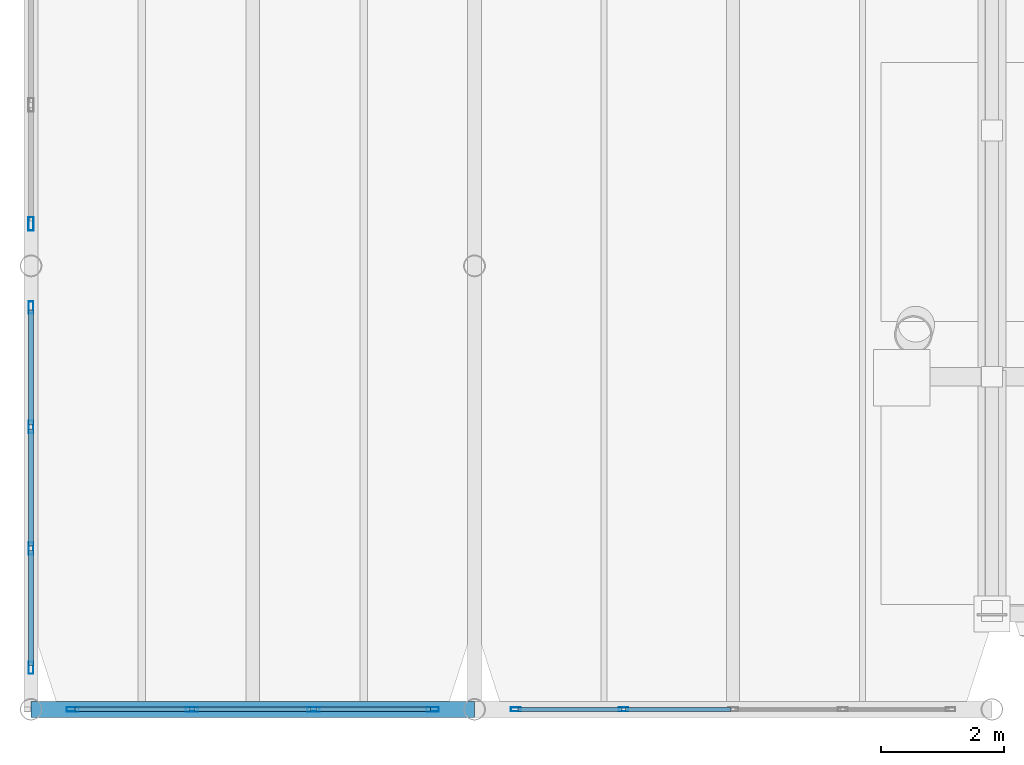
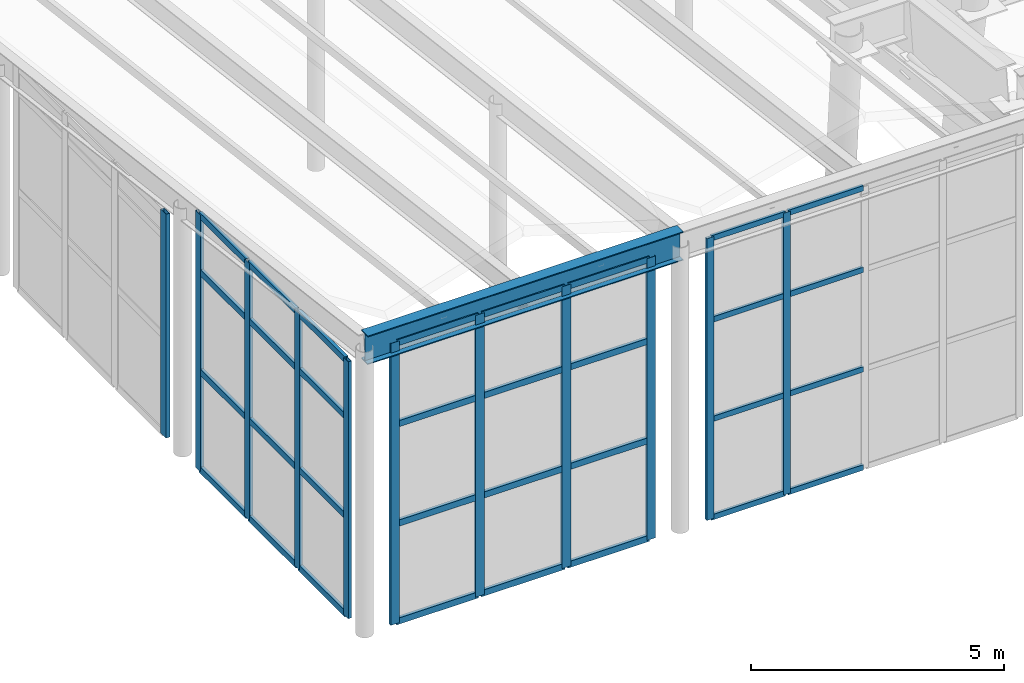
# One storey, part 3 of 14: 43 members, 1 beam, 4 elements without a shape of their own.
"""IFC4 building model written with IfcOpenShell, lengths in metres."""

from ifc_helpers import new_model, si_unit, direction, frame, origin, origin_2d, place, context, subcontext, project, spatial, hollow_rectangle, i_section, extrude, material, layer, layer_set, material_profile, profile_set, type_object, element, aggregate, save


model = new_model("IFC4")

# Units and contexts
model_context = context("Model", 3, precision=1e-05, world=origin(), true_north=direction((0.0, 1.0)))
body_context = subcontext(model_context, "Body", "Model", "MODEL_VIEW")
ifc_project = project(units=[si_unit("LENGTHUNIT", "METRE"), si_unit("AREAUNIT", "SQUARE_METRE"), si_unit("VOLUMEUNIT", "CUBIC_METRE"), si_unit("PLANEANGLEUNIT", "RADIAN"), si_unit("MASSUNIT", "GRAM", prefix="KILO")], contexts=[model_context])

# Site, building, storey
site_placement = place(None, origin())
site = spatial("IfcSite", under=ifc_project, at=site_placement, CompositionType="ELEMENT")
building_placement = place(site_placement, origin())
building = spatial("IfcBuilding", under=site, at=building_placement, Name="Xicomal Pleat Aquarium", CompositionType="ELEMENT")
storey_placement = place(building_placement, frame((0.0, 0.0, 24.0)))
storey = spatial("IfcBuildingStorey", under=building, at=storey_placement, Name="RF", CompositionType="ELEMENT", Elevation=24.0)

# Beam
ifc_material_1 = material(Name="Structural steel A992 Gr 50", Category="steel")
ifc_material_profile_1 = material_profile(ifc_material_1, i_section(OverallWidth=0.256103515625, OverallDepth=0.693115234375, WebThickness=0.014404296875, FlangeThickness=0.023681640625, at=origin_2d()), Name="IR 690x170")
ifc_profile_set_1 = profile_set([ifc_material_profile_1], Name="Structural steel A992 Gr 50")
beam_type = type_object("IfcBeamType", Name="BM-STL-IR690", PredefinedType="BEAM", material=ifc_profile_set_1)
beam_placement = place(storey_placement, frame((3.0, 0.800048828125, 6.89111328125), z_axis=(1.0, 0.0, 0.0), x_axis=(0.0, 1.0, 0.0)))
element("IfcBeam", 1, at=beam_placement, inside=storey, type_object=beam_type, Name="RF T1 ring girder S 01-02", PredefinedType="BEAM", context=body_context, shape_type="SweptSolid", body=[
    extrude(i_section(OverallWidth=0.256103515625, OverallDepth=0.693115234375, WebThickness=0.014404296875, FlangeThickness=0.023681640625, at=origin_2d()), origin(), (0.0, 0.0, 1.0), 7.199951171875),
])

# Curtain wall, members
ifc_material_2 = material(Name="Bronze anodized aluminium 6063-T6", Category="aluminium")
ifc_layer_1 = layer(ifc_material_2, 0.159912109375)
ifc_layer_set_1 = layer_set([ifc_layer_1], Name="Bronze anodized aluminium 6063-T6")
curtain_wall_type_1 = type_object("IfcCurtainWallType", Name="CW-SYS-03", PredefinedType="NOTDEFINED", material=ifc_layer_set_1)
curtain_wall_1_placement = place(storey_placement, origin())
curtain_wall_1 = element("IfcCurtainWall", 2, at=curtain_wall_1_placement, inside=storey, type_object=curtain_wall_type_1, Name="RF pleated crown clerestory curtain wall CW-RF-03", PredefinedType="NOTDEFINED")
ifc_material_3 = material(Name="Bronze anodized aluminium 6063-T6", Category="aluminium")
ifc_material_profile_2 = material_profile(ifc_material_3, hollow_rectangle(XDim=0.06494140625, YDim=0.159912109375, WallThickness=0.00390625, at=origin_2d()), Name="ALU MULL 65x160")
ifc_profile_set_2 = profile_set([ifc_material_profile_2], Name="Bronze anodized aluminium 6063-T6")
member_type_1 = type_object("IfcMemberType", Name="CWM-65x160", PredefinedType="MULLION", material=ifc_profile_set_2)
member_1_placement = place(storey_placement, frame((10.87255859375, 0.800048828125, 0.0), z_axis=(0.0, 0.0, 1.0), x_axis=(0.0, 1.0, 0.0)))
member_1 = element("IfcMember", 3, at=member_1_placement, type_object=member_type_1, Name="CW-03 mullion 1", PredefinedType="MULLION", context=body_context, shape_type="SweptSolid", body=[
    extrude(hollow_rectangle(XDim=0.06494140625, YDim=0.159912109375, WallThickness=0.00390625, at=origin_2d()), origin(), (0.0, 0.0, 1.0), 6.800048828125),
])
member_2_placement = place(storey_placement, frame((12.6201171875, 0.800048828125, 0.0), z_axis=(0.0, 0.0, 1.0), x_axis=(0.0, 1.0, 0.0)))
member_2 = element("IfcMember", 4, at=member_2_placement, type_object=member_type_1, Name="CW-03 mullion 2", PredefinedType="MULLION", context=body_context, shape_type="SweptSolid", body=[
    extrude(hollow_rectangle(XDim=0.06494140625, YDim=0.159912109375, WallThickness=0.00390625, at=origin_2d()), origin(), (0.0, 0.0, 1.0), 6.800048828125),
])

ifc_material_4 = material(Name="Bronze anodized aluminium 6063-T6", Category="aluminium")
ifc_layer_2 = layer(ifc_material_4, 0.159912109375)
ifc_layer_set_2 = layer_set([ifc_layer_2], Name="Bronze anodized aluminium 6063-T6")
curtain_wall_type_2 = type_object("IfcCurtainWallType", Name="CW-SYS-04", PredefinedType="NOTDEFINED", material=ifc_layer_set_2)
curtain_wall_2_placement = place(storey_placement, origin())
curtain_wall_2 = element("IfcCurtainWall", 5, at=curtain_wall_2_placement, inside=storey, type_object=curtain_wall_type_2, Name="RF pleated crown clerestory curtain wall CW-RF-01", PredefinedType="NOTDEFINED")
ifc_material_5 = material(Name="Bronze anodized aluminium 6063-T6", Category="aluminium")
ifc_material_profile_3 = material_profile(ifc_material_5, hollow_rectangle(XDim=0.074951171875, YDim=0.199951171875, WallThickness=0.00439453125, at=origin_2d()), Name="ALU MULL 75x200")
ifc_profile_set_3 = profile_set([ifc_material_profile_3], Name="Bronze anodized aluminium 6063-T6")
member_type_2 = type_object("IfcMemberType", Name="CWM-75x200", PredefinedType="MULLION", material=ifc_profile_set_3)
member_3_placement = place(storey_placement, frame((3.0, 1.4775390625, 0.0), z_axis=(0.0, 0.0, 1.0), x_axis=(-1.0, 0.0, 0.0)))
member_3 = element("IfcMember", 6, at=member_3_placement, type_object=member_type_2, Name="CW-04 mullion 1", PredefinedType="MULLION", context=body_context, shape_type="SweptSolid", body=[
    extrude(hollow_rectangle(XDim=0.074951171875, YDim=0.199951171875, WallThickness=0.00439453125, at=origin_2d()), origin(), (0.0, 0.0, 1.0), 6.199951171875),
])
member_4_placement = place(storey_placement, frame((3.0, 3.413330078125, 0.0), z_axis=(0.0, 0.0, 1.0), x_axis=(-1.0, 0.0, 0.0)))
member_4 = element("IfcMember", 7, at=member_4_placement, type_object=member_type_2, Name="CW-04 mullion 2", PredefinedType="MULLION", context=body_context, shape_type="SweptSolid", body=[
    extrude(hollow_rectangle(XDim=0.074951171875, YDim=0.199951171875, WallThickness=0.00439453125, at=origin_2d()), origin(), (0.0, 0.0, 1.0), 6.199951171875),
])
member_5_placement = place(storey_placement, frame((3.0, 5.38671875, 0.0), z_axis=(0.0, 0.0, 1.0), x_axis=(-1.0, 0.0, 0.0)))
member_5 = element("IfcMember", 8, at=member_5_placement, type_object=member_type_2, Name="CW-04 mullion 3", PredefinedType="MULLION", context=body_context, shape_type="SweptSolid", body=[
    extrude(hollow_rectangle(XDim=0.074951171875, YDim=0.199951171875, WallThickness=0.00439453125, at=origin_2d()), origin(), (0.0, 0.0, 1.0), 6.199951171875),
])
member_6_placement = place(storey_placement, frame((3.0, 7.322509765625, 0.0), z_axis=(0.0, 0.0, 1.0), x_axis=(-1.0, 0.0, 0.0)))
member_6 = element("IfcMember", 9, at=member_6_placement, type_object=member_type_2, Name="CW-04 mullion 4", PredefinedType="MULLION", context=body_context, shape_type="SweptSolid", body=[
    extrude(hollow_rectangle(XDim=0.074951171875, YDim=0.199951171875, WallThickness=0.00439453125, at=origin_2d()), origin(), (0.0, 0.0, 1.0), 6.199951171875),
])

curtain_wall_3_placement = place(storey_placement, origin())
curtain_wall_3 = element("IfcCurtainWall", 10, at=curtain_wall_3_placement, inside=storey, type_object=curtain_wall_type_2, Name="RF pleated crown clerestory curtain wall CW-RF-04", PredefinedType="NOTDEFINED")
member_7_placement = place(storey_placement, frame((3.677490234375, 0.800048828125, 0.0), z_axis=(0.0, 0.0, 1.0), x_axis=(0.0, 1.0, 0.0)))
member_7 = element("IfcMember", 11, at=member_7_placement, type_object=member_type_2, Name="CW-04 mullion 1", PredefinedType="MULLION", context=body_context, shape_type="SweptSolid", body=[
    extrude(hollow_rectangle(XDim=0.074951171875, YDim=0.199951171875, WallThickness=0.00439453125, at=origin_2d()), origin(), (0.0, 0.0, 1.0), 6.800048828125),
])
member_8_placement = place(storey_placement, frame((5.61328125, 0.800048828125, 0.0), z_axis=(0.0, 0.0, 1.0), x_axis=(0.0, 1.0, 0.0)))
member_8 = element("IfcMember", 12, at=member_8_placement, type_object=member_type_2, Name="CW-04 mullion 2", PredefinedType="MULLION", context=body_context, shape_type="SweptSolid", body=[
    extrude(hollow_rectangle(XDim=0.074951171875, YDim=0.199951171875, WallThickness=0.00439453125, at=origin_2d()), origin(), (0.0, 0.0, 1.0), 6.800048828125),
])
member_9_placement = place(storey_placement, frame((7.586669921875, 0.800048828125, 0.0), z_axis=(0.0, 0.0, 1.0), x_axis=(0.0, 1.0, 0.0)))
member_9 = element("IfcMember", 13, at=member_9_placement, type_object=member_type_2, Name="CW-04 mullion 3", PredefinedType="MULLION", context=body_context, shape_type="SweptSolid", body=[
    extrude(hollow_rectangle(XDim=0.074951171875, YDim=0.199951171875, WallThickness=0.00439453125, at=origin_2d()), origin(), (0.0, 0.0, 1.0), 6.800048828125),
])
member_10_placement = place(storey_placement, frame((9.5224609375, 0.800048828125, 0.0), z_axis=(0.0, 0.0, 1.0), x_axis=(0.0, 1.0, 0.0)))
member_10 = element("IfcMember", 14, at=member_10_placement, type_object=member_type_2, Name="CW-04 mullion 4", PredefinedType="MULLION", context=body_context, shape_type="SweptSolid", body=[
    extrude(hollow_rectangle(XDim=0.074951171875, YDim=0.199951171875, WallThickness=0.00439453125, at=origin_2d()), origin(), (0.0, 0.0, 1.0), 6.800048828125),
])

# Curtain wall, member
ifc_material_6 = material(Name="Bronze anodized aluminium 6063-T6", Category="aluminium")
ifc_layer_3 = layer(ifc_material_6, 0.159912109375)
ifc_layer_set_3 = layer_set([ifc_layer_3], Name="Bronze anodized aluminium 6063-T6")
curtain_wall_type_3 = type_object("IfcCurtainWallType", Name="CW-SYS-05", PredefinedType="NOTDEFINED", material=ifc_layer_set_3)
curtain_wall_4_placement = place(storey_placement, origin())
curtain_wall_4 = element("IfcCurtainWall", 15, at=curtain_wall_4_placement, inside=storey, type_object=curtain_wall_type_3, Name="RF pleated crown clerestory curtain wall CW-RF-02", PredefinedType="NOTDEFINED")
ifc_material_7 = material(Name="Bronze anodized aluminium 6063-T6", Category="aluminium")
ifc_material_profile_4 = material_profile(ifc_material_7, hollow_rectangle(XDim=0.0849609375, YDim=0.219970703125, WallThickness=0.0048828125, at=origin_2d()), Name="ALU MULL 85x220")
ifc_profile_set_4 = profile_set([ifc_material_profile_4], Name="Bronze anodized aluminium 6063-T6")
member_type_3 = type_object("IfcMemberType", Name="CWM-85x220", PredefinedType="MULLION", material=ifc_profile_set_4)
member_11_placement = place(storey_placement, frame((3.0, 8.6826171875, 0.0), z_axis=(0.0, 0.0, 1.0), x_axis=(-1.0, 0.0, 0.0)))
member_11 = element("IfcMember", 16, at=member_11_placement, type_object=member_type_3, Name="CW-05 mullion 1", PredefinedType="MULLION", context=body_context, shape_type="SweptSolid", body=[
    extrude(hollow_rectangle(XDim=0.0849609375, YDim=0.219970703125, WallThickness=0.0048828125, at=origin_2d()), origin(), (0.0, 0.0, 1.0), 5.39990234375),
])
aggregate(curtain_wall_4, [member_11])

# Member
ifc_material_8 = material(Name="Bronze anodized aluminium 6063-T6", Category="aluminium")
ifc_material_profile_5 = material_profile(ifc_material_8, hollow_rectangle(XDim=0.06494140625, YDim=0.1298828125, WallThickness=0.00390625, at=origin_2d()), Name="ALU TRAN 65x130")
ifc_profile_set_5 = profile_set([ifc_material_profile_5], Name="Bronze anodized aluminium 6063-T6")
member_type_4 = type_object("IfcMemberType", Name="CWT-65x130", PredefinedType="USERDEFINED", material=ifc_profile_set_5)
member_12_placement = place(storey_placement, frame((10.905029296875, 0.800048828125, 0.032470703125), z_axis=(1.0, 0.0, 0.0), x_axis=(0.0, 1.0, 0.0)))
member_12 = element("IfcMember", 17, at=member_12_placement, type_object=member_type_4, Name="CW-03 transom 1.1", ObjectType="TRANSOM", PredefinedType="USERDEFINED", context=body_context, shape_type="SweptSolid", body=[
    extrude(hollow_rectangle(XDim=0.06494140625, YDim=0.1298828125, WallThickness=0.00390625, at=origin_2d()), origin(), (0.0, 0.0, 1.0), 1.682373046875),
])

member_13_placement = place(storey_placement, frame((10.905029296875, 0.800048828125, 2.39990234375), z_axis=(1.0, 0.0, 0.0), x_axis=(0.0, 1.0, 0.0)))
member_13 = element("IfcMember", 18, at=member_13_placement, type_object=member_type_4, Name="CW-03 transom 1.2", ObjectType="TRANSOM", PredefinedType="USERDEFINED", context=body_context, shape_type="SweptSolid", body=[
    extrude(hollow_rectangle(XDim=0.06494140625, YDim=0.1298828125, WallThickness=0.00390625, at=origin_2d()), origin(), (0.0, 0.0, 1.0), 1.682373046875),
])

member_14_placement = place(storey_placement, frame((10.905029296875, 0.800048828125, 4.800048828125), z_axis=(1.0, 0.0, 0.0), x_axis=(0.0, 1.0, 0.0)))
member_14 = element("IfcMember", 19, at=member_14_placement, type_object=member_type_4, Name="CW-03 transom 1.3", ObjectType="TRANSOM", PredefinedType="USERDEFINED", context=body_context, shape_type="SweptSolid", body=[
    extrude(hollow_rectangle(XDim=0.06494140625, YDim=0.1298828125, WallThickness=0.00390625, at=origin_2d()), origin(), (0.0, 0.0, 1.0), 1.682373046875),
])

member_15_placement = place(storey_placement, frame((10.905029296875, 0.800048828125, 6.767578125), z_axis=(1.0, 0.0, 0.0), x_axis=(0.0, 1.0, 0.0)))
member_15 = element("IfcMember", 20, at=member_15_placement, type_object=member_type_4, Name="CW-03 transom 1.4", ObjectType="TRANSOM", PredefinedType="USERDEFINED", context=body_context, shape_type="SweptSolid", body=[
    extrude(hollow_rectangle(XDim=0.06494140625, YDim=0.1298828125, WallThickness=0.00390625, at=origin_2d()), origin(), (0.0, 0.0, 1.0), 1.682373046875),
])

member_16_placement = place(storey_placement, frame((12.652587890625, 0.800048828125, 0.032470703125), z_axis=(1.0, 0.0, 0.0), x_axis=(0.0, 1.0, 0.0)))
member_16 = element("IfcMember", 21, at=member_16_placement, type_object=member_type_4, Name="CW-03 transom 2.1", ObjectType="TRANSOM", PredefinedType="USERDEFINED", context=body_context, shape_type="SweptSolid", body=[
    extrude(hollow_rectangle(XDim=0.06494140625, YDim=0.1298828125, WallThickness=0.00390625, at=origin_2d()), origin(), (0.0, 0.0, 1.0), 1.71484375),
])

member_17_placement = place(storey_placement, frame((12.652587890625, 0.800048828125, 2.39990234375), z_axis=(1.0, 0.0, 0.0), x_axis=(0.0, 1.0, 0.0)))
member_17 = element("IfcMember", 22, at=member_17_placement, type_object=member_type_4, Name="CW-03 transom 2.2", ObjectType="TRANSOM", PredefinedType="USERDEFINED", context=body_context, shape_type="SweptSolid", body=[
    extrude(hollow_rectangle(XDim=0.06494140625, YDim=0.1298828125, WallThickness=0.00390625, at=origin_2d()), origin(), (0.0, 0.0, 1.0), 1.71484375),
])

member_18_placement = place(storey_placement, frame((12.652587890625, 0.800048828125, 4.800048828125), z_axis=(1.0, 0.0, 0.0), x_axis=(0.0, 1.0, 0.0)))
member_18 = element("IfcMember", 23, at=member_18_placement, type_object=member_type_4, Name="CW-03 transom 2.3", ObjectType="TRANSOM", PredefinedType="USERDEFINED", context=body_context, shape_type="SweptSolid", body=[
    extrude(hollow_rectangle(XDim=0.06494140625, YDim=0.1298828125, WallThickness=0.00390625, at=origin_2d()), origin(), (0.0, 0.0, 1.0), 1.71484375),
])

member_19_placement = place(storey_placement, frame((12.652587890625, 0.800048828125, 6.767578125), z_axis=(1.0, 0.0, 0.0), x_axis=(0.0, 1.0, 0.0)))
member_19 = element("IfcMember", 24, at=member_19_placement, type_object=member_type_4, Name="CW-03 transom 2.4", ObjectType="TRANSOM", PredefinedType="USERDEFINED", context=body_context, shape_type="SweptSolid", body=[
    extrude(hollow_rectangle(XDim=0.06494140625, YDim=0.1298828125, WallThickness=0.00390625, at=origin_2d()), origin(), (0.0, 0.0, 1.0), 1.71484375),
])

aggregate(curtain_wall_1, [member_1, member_2, member_12, member_13, member_14, member_15, member_16, member_17, member_18, member_19])

ifc_material_9 = material(Name="Bronze anodized aluminium 6063-T6", Category="aluminium")
ifc_material_profile_6 = material_profile(ifc_material_9, hollow_rectangle(XDim=0.074951171875, YDim=0.14990234375, WallThickness=0.00439453125, at=origin_2d()), Name="ALU TRAN 75x150")
ifc_profile_set_6 = profile_set([ifc_material_profile_6], Name="Bronze anodized aluminium 6063-T6")
member_type_5 = type_object("IfcMemberType", Name="CWT-75x150", PredefinedType="USERDEFINED", material=ifc_profile_set_6)
member_20_placement = place(storey_placement, frame((3.0, 1.514892578125, 0.03759765625), z_axis=(0.0, 1.0, 0.0), x_axis=(-1.0, 0.0, 0.0)))
member_20 = element("IfcMember", 25, at=member_20_placement, type_object=member_type_5, Name="CW-04 transom 1.1", ObjectType="TRANSOM", PredefinedType="USERDEFINED", context=body_context, shape_type="SweptSolid", body=[
    extrude(hollow_rectangle(XDim=0.074951171875, YDim=0.14990234375, WallThickness=0.00439453125, at=origin_2d()), origin(), (0.0, 0.0, 1.0), 1.86083984375),
])

member_21_placement = place(storey_placement, frame((3.0, 1.514892578125, 2.39990234375), z_axis=(0.0, 1.0, 0.0), x_axis=(-1.0, 0.0, 0.0)))
member_21 = element("IfcMember", 26, at=member_21_placement, type_object=member_type_5, Name="CW-04 transom 1.2", ObjectType="TRANSOM", PredefinedType="USERDEFINED", context=body_context, shape_type="SweptSolid", body=[
    extrude(hollow_rectangle(XDim=0.074951171875, YDim=0.14990234375, WallThickness=0.00439453125, at=origin_2d()), origin(), (0.0, 0.0, 1.0), 1.86083984375),
])

member_22_placement = place(storey_placement, frame((3.0, 1.514892578125, 4.800048828125), z_axis=(0.0, 1.0, 0.0), x_axis=(-1.0, 0.0, 0.0)))
member_22 = element("IfcMember", 27, at=member_22_placement, type_object=member_type_5, Name="CW-04 transom 1.3", ObjectType="TRANSOM", PredefinedType="USERDEFINED", context=body_context, shape_type="SweptSolid", body=[
    extrude(hollow_rectangle(XDim=0.074951171875, YDim=0.14990234375, WallThickness=0.00439453125, at=origin_2d()), origin(), (0.0, 0.0, 1.0), 1.86083984375),
])

member_23_placement = place(storey_placement, frame((3.0, 1.514892578125, 6.16259765625), z_axis=(0.0, 1.0, 0.0), x_axis=(-1.0, 0.0, 0.0)))
member_23 = element("IfcMember", 28, at=member_23_placement, type_object=member_type_5, Name="CW-04 transom 1.4", ObjectType="TRANSOM", PredefinedType="USERDEFINED", context=body_context, shape_type="SweptSolid", body=[
    extrude(hollow_rectangle(XDim=0.074951171875, YDim=0.14990234375, WallThickness=0.00439453125, at=origin_2d()), origin(), (0.0, 0.0, 1.0), 1.86083984375),
])

member_24_placement = place(storey_placement, frame((3.0, 3.45068359375, 0.03759765625), z_axis=(0.0, 1.0, 0.0), x_axis=(-1.0, 0.0, 0.0)))
member_24 = element("IfcMember", 29, at=member_24_placement, type_object=member_type_5, Name="CW-04 transom 2.1", ObjectType="TRANSOM", PredefinedType="USERDEFINED", context=body_context, shape_type="SweptSolid", body=[
    extrude(hollow_rectangle(XDim=0.074951171875, YDim=0.14990234375, WallThickness=0.00439453125, at=origin_2d()), origin(), (0.0, 0.0, 1.0), 1.8984375),
])

member_25_placement = place(storey_placement, frame((3.0, 3.45068359375, 2.39990234375), z_axis=(0.0, 1.0, 0.0), x_axis=(-1.0, 0.0, 0.0)))
member_25 = element("IfcMember", 30, at=member_25_placement, type_object=member_type_5, Name="CW-04 transom 2.2", ObjectType="TRANSOM", PredefinedType="USERDEFINED", context=body_context, shape_type="SweptSolid", body=[
    extrude(hollow_rectangle(XDim=0.074951171875, YDim=0.14990234375, WallThickness=0.00439453125, at=origin_2d()), origin(), (0.0, 0.0, 1.0), 1.8984375),
])

member_26_placement = place(storey_placement, frame((3.0, 3.45068359375, 4.800048828125), z_axis=(0.0, 1.0, 0.0), x_axis=(-1.0, 0.0, 0.0)))
member_26 = element("IfcMember", 31, at=member_26_placement, type_object=member_type_5, Name="CW-04 transom 2.3", ObjectType="TRANSOM", PredefinedType="USERDEFINED", context=body_context, shape_type="SweptSolid", body=[
    extrude(hollow_rectangle(XDim=0.074951171875, YDim=0.14990234375, WallThickness=0.00439453125, at=origin_2d()), origin(), (0.0, 0.0, 1.0), 1.8984375),
])

member_27_placement = place(storey_placement, frame((3.0, 3.45068359375, 6.16259765625), z_axis=(0.0, 1.0, 0.0), x_axis=(-1.0, 0.0, 0.0)))
member_27 = element("IfcMember", 32, at=member_27_placement, type_object=member_type_5, Name="CW-04 transom 2.4", ObjectType="TRANSOM", PredefinedType="USERDEFINED", context=body_context, shape_type="SweptSolid", body=[
    extrude(hollow_rectangle(XDim=0.074951171875, YDim=0.14990234375, WallThickness=0.00439453125, at=origin_2d()), origin(), (0.0, 0.0, 1.0), 1.8984375),
])

member_28_placement = place(storey_placement, frame((3.0, 5.42431640625, 0.03759765625), z_axis=(0.0, 1.0, 0.0), x_axis=(-1.0, 0.0, 0.0)))
member_28 = element("IfcMember", 33, at=member_28_placement, type_object=member_type_5, Name="CW-04 transom 3.1", ObjectType="TRANSOM", PredefinedType="USERDEFINED", context=body_context, shape_type="SweptSolid", body=[
    extrude(hollow_rectangle(XDim=0.074951171875, YDim=0.14990234375, WallThickness=0.00439453125, at=origin_2d()), origin(), (0.0, 0.0, 1.0), 1.860595703125),
])

member_29_placement = place(storey_placement, frame((3.0, 5.42431640625, 2.39990234375), z_axis=(0.0, 1.0, 0.0), x_axis=(-1.0, 0.0, 0.0)))
member_29 = element("IfcMember", 34, at=member_29_placement, type_object=member_type_5, Name="CW-04 transom 3.2", ObjectType="TRANSOM", PredefinedType="USERDEFINED", context=body_context, shape_type="SweptSolid", body=[
    extrude(hollow_rectangle(XDim=0.074951171875, YDim=0.14990234375, WallThickness=0.00439453125, at=origin_2d()), origin(), (0.0, 0.0, 1.0), 1.860595703125),
])

member_30_placement = place(storey_placement, frame((3.0, 5.42431640625, 4.800048828125), z_axis=(0.0, 1.0, 0.0), x_axis=(-1.0, 0.0, 0.0)))
member_30 = element("IfcMember", 35, at=member_30_placement, type_object=member_type_5, Name="CW-04 transom 3.3", ObjectType="TRANSOM", PredefinedType="USERDEFINED", context=body_context, shape_type="SweptSolid", body=[
    extrude(hollow_rectangle(XDim=0.074951171875, YDim=0.14990234375, WallThickness=0.00439453125, at=origin_2d()), origin(), (0.0, 0.0, 1.0), 1.860595703125),
])

member_31_placement = place(storey_placement, frame((3.0, 5.42431640625, 6.16259765625), z_axis=(0.0, 1.0, 0.0), x_axis=(-1.0, 0.0, 0.0)))
member_31 = element("IfcMember", 36, at=member_31_placement, type_object=member_type_5, Name="CW-04 transom 3.4", ObjectType="TRANSOM", PredefinedType="USERDEFINED", context=body_context, shape_type="SweptSolid", body=[
    extrude(hollow_rectangle(XDim=0.074951171875, YDim=0.14990234375, WallThickness=0.00439453125, at=origin_2d()), origin(), (0.0, 0.0, 1.0), 1.860595703125),
])

aggregate(curtain_wall_2, [member_3, member_4, member_5, member_6, member_20, member_21, member_22, member_23, member_24, member_25, member_26, member_27, member_28, member_29, member_30, member_31])

member_32_placement = place(storey_placement, frame((3.715087890625, 0.800048828125, 0.03759765625), z_axis=(1.0, 0.0, 0.0), x_axis=(0.0, 1.0, 0.0)))
member_32 = element("IfcMember", 37, at=member_32_placement, type_object=member_type_5, Name="CW-04 transom 1.1", ObjectType="TRANSOM", PredefinedType="USERDEFINED", context=body_context, shape_type="SweptSolid", body=[
    extrude(hollow_rectangle(XDim=0.074951171875, YDim=0.14990234375, WallThickness=0.00439453125, at=origin_2d()), origin(), (0.0, 0.0, 1.0), 1.860595703125),
])

member_33_placement = place(storey_placement, frame((3.715087890625, 0.800048828125, 2.39990234375), z_axis=(1.0, 0.0, 0.0), x_axis=(0.0, 1.0, 0.0)))
member_33 = element("IfcMember", 38, at=member_33_placement, type_object=member_type_5, Name="CW-04 transom 1.2", ObjectType="TRANSOM", PredefinedType="USERDEFINED", context=body_context, shape_type="SweptSolid", body=[
    extrude(hollow_rectangle(XDim=0.074951171875, YDim=0.14990234375, WallThickness=0.00439453125, at=origin_2d()), origin(), (0.0, 0.0, 1.0), 1.860595703125),
])

member_34_placement = place(storey_placement, frame((3.715087890625, 0.800048828125, 4.800048828125), z_axis=(1.0, 0.0, 0.0), x_axis=(0.0, 1.0, 0.0)))
member_34 = element("IfcMember", 39, at=member_34_placement, type_object=member_type_5, Name="CW-04 transom 1.3", ObjectType="TRANSOM", PredefinedType="USERDEFINED", context=body_context, shape_type="SweptSolid", body=[
    extrude(hollow_rectangle(XDim=0.074951171875, YDim=0.14990234375, WallThickness=0.00439453125, at=origin_2d()), origin(), (0.0, 0.0, 1.0), 1.860595703125),
])

member_35_placement = place(storey_placement, frame((3.715087890625, 0.800048828125, 6.762451171875), z_axis=(1.0, 0.0, 0.0), x_axis=(0.0, 1.0, 0.0)))
member_35 = element("IfcMember", 40, at=member_35_placement, type_object=member_type_5, Name="CW-04 transom 1.4", ObjectType="TRANSOM", PredefinedType="USERDEFINED", context=body_context, shape_type="SweptSolid", body=[
    extrude(hollow_rectangle(XDim=0.074951171875, YDim=0.14990234375, WallThickness=0.00439453125, at=origin_2d()), origin(), (0.0, 0.0, 1.0), 1.860595703125),
])

member_36_placement = place(storey_placement, frame((5.65087890625, 0.800048828125, 0.03759765625), z_axis=(1.0, 0.0, 0.0), x_axis=(0.0, 1.0, 0.0)))
member_36 = element("IfcMember", 41, at=member_36_placement, type_object=member_type_5, Name="CW-04 transom 2.1", ObjectType="TRANSOM", PredefinedType="USERDEFINED", context=body_context, shape_type="SweptSolid", body=[
    extrude(hollow_rectangle(XDim=0.074951171875, YDim=0.14990234375, WallThickness=0.00439453125, at=origin_2d()), origin(), (0.0, 0.0, 1.0), 1.8984375),
])

member_37_placement = place(storey_placement, frame((5.65087890625, 0.800048828125, 2.39990234375), z_axis=(1.0, 0.0, 0.0), x_axis=(0.0, 1.0, 0.0)))
member_37 = element("IfcMember", 42, at=member_37_placement, type_object=member_type_5, Name="CW-04 transom 2.2", ObjectType="TRANSOM", PredefinedType="USERDEFINED", context=body_context, shape_type="SweptSolid", body=[
    extrude(hollow_rectangle(XDim=0.074951171875, YDim=0.14990234375, WallThickness=0.00439453125, at=origin_2d()), origin(), (0.0, 0.0, 1.0), 1.8984375),
])

member_38_placement = place(storey_placement, frame((5.65087890625, 0.800048828125, 4.800048828125), z_axis=(1.0, 0.0, 0.0), x_axis=(0.0, 1.0, 0.0)))
member_38 = element("IfcMember", 43, at=member_38_placement, type_object=member_type_5, Name="CW-04 transom 2.3", ObjectType="TRANSOM", PredefinedType="USERDEFINED", context=body_context, shape_type="SweptSolid", body=[
    extrude(hollow_rectangle(XDim=0.074951171875, YDim=0.14990234375, WallThickness=0.00439453125, at=origin_2d()), origin(), (0.0, 0.0, 1.0), 1.8984375),
])

member_39_placement = place(storey_placement, frame((5.65087890625, 0.800048828125, 6.762451171875), z_axis=(1.0, 0.0, 0.0), x_axis=(0.0, 1.0, 0.0)))
member_39 = element("IfcMember", 44, at=member_39_placement, type_object=member_type_5, Name="CW-04 transom 2.4", ObjectType="TRANSOM", PredefinedType="USERDEFINED", context=body_context, shape_type="SweptSolid", body=[
    extrude(hollow_rectangle(XDim=0.074951171875, YDim=0.14990234375, WallThickness=0.00439453125, at=origin_2d()), origin(), (0.0, 0.0, 1.0), 1.8984375),
])

member_40_placement = place(storey_placement, frame((7.624267578125, 0.800048828125, 0.03759765625), z_axis=(1.0, 0.0, 0.0), x_axis=(0.0, 1.0, 0.0)))
member_40 = element("IfcMember", 45, at=member_40_placement, type_object=member_type_5, Name="CW-04 transom 3.1", ObjectType="TRANSOM", PredefinedType="USERDEFINED", context=body_context, shape_type="SweptSolid", body=[
    extrude(hollow_rectangle(XDim=0.074951171875, YDim=0.14990234375, WallThickness=0.00439453125, at=origin_2d()), origin(), (0.0, 0.0, 1.0), 1.86083984375),
])

member_41_placement = place(storey_placement, frame((7.624267578125, 0.800048828125, 2.39990234375), z_axis=(1.0, 0.0, 0.0), x_axis=(0.0, 1.0, 0.0)))
member_41 = element("IfcMember", 46, at=member_41_placement, type_object=member_type_5, Name="CW-04 transom 3.2", ObjectType="TRANSOM", PredefinedType="USERDEFINED", context=body_context, shape_type="SweptSolid", body=[
    extrude(hollow_rectangle(XDim=0.074951171875, YDim=0.14990234375, WallThickness=0.00439453125, at=origin_2d()), origin(), (0.0, 0.0, 1.0), 1.86083984375),
])

member_42_placement = place(storey_placement, frame((7.624267578125, 0.800048828125, 4.800048828125), z_axis=(1.0, 0.0, 0.0), x_axis=(0.0, 1.0, 0.0)))
member_42 = element("IfcMember", 47, at=member_42_placement, type_object=member_type_5, Name="CW-04 transom 3.3", ObjectType="TRANSOM", PredefinedType="USERDEFINED", context=body_context, shape_type="SweptSolid", body=[
    extrude(hollow_rectangle(XDim=0.074951171875, YDim=0.14990234375, WallThickness=0.00439453125, at=origin_2d()), origin(), (0.0, 0.0, 1.0), 1.86083984375),
])

member_43_placement = place(storey_placement, frame((7.624267578125, 0.800048828125, 6.762451171875), z_axis=(1.0, 0.0, 0.0), x_axis=(0.0, 1.0, 0.0)))
member_43 = element("IfcMember", 48, at=member_43_placement, type_object=member_type_5, Name="CW-04 transom 3.4", ObjectType="TRANSOM", PredefinedType="USERDEFINED", context=body_context, shape_type="SweptSolid", body=[
    extrude(hollow_rectangle(XDim=0.074951171875, YDim=0.14990234375, WallThickness=0.00439453125, at=origin_2d()), origin(), (0.0, 0.0, 1.0), 1.86083984375),
])

aggregate(curtain_wall_3, [member_7, member_8, member_9, member_10, member_32, member_33, member_34, member_35, member_36, member_37, member_38, member_39, member_40, member_41, member_42, member_43])

save(model, "model.ifc")
